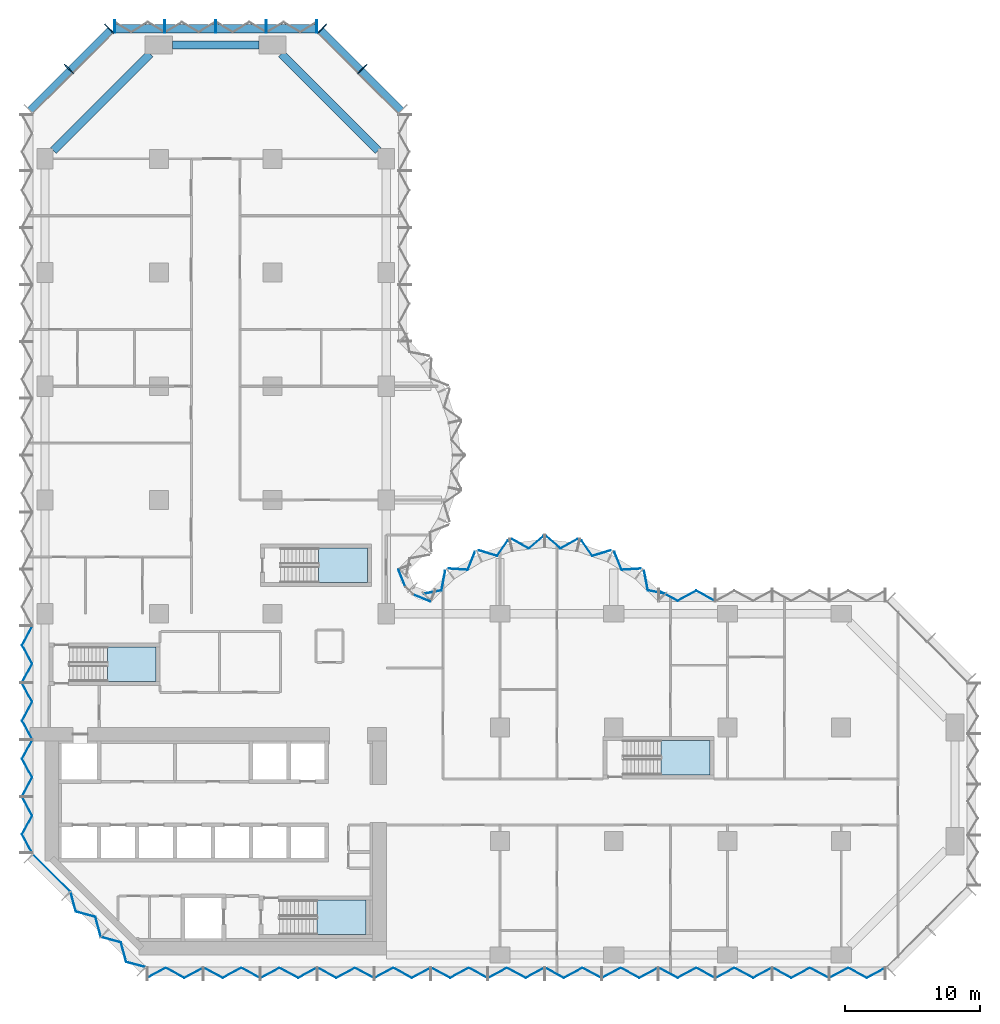
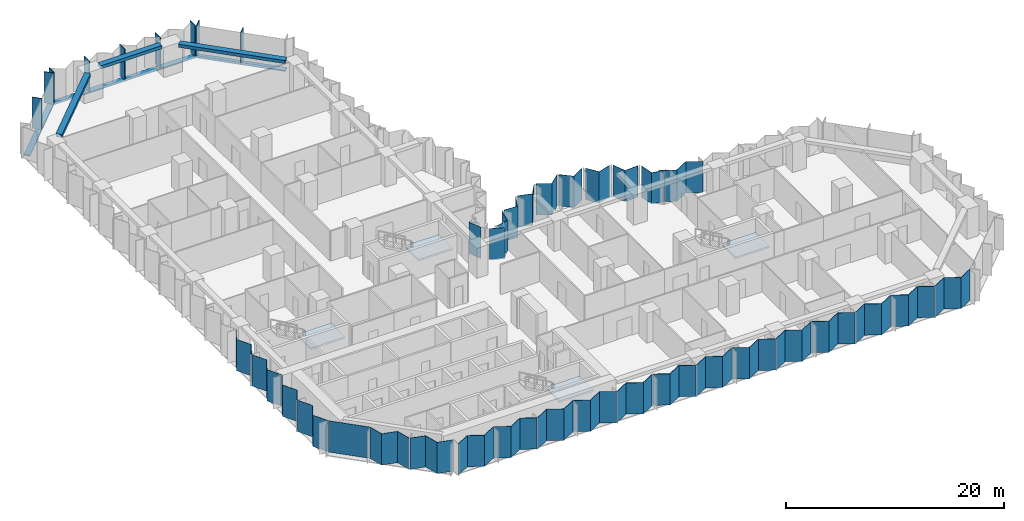
# One storey, part 5 of 15: 31 plates, 12 members, 4 slabs, 3 beams, 13 elements without a shape of their own.
"""IFC4 building model written with IfcOpenShell, lengths in metres."""

import ifcopenshell
import ifcopenshell.guid

model = None  # the IFC model being written
_history = None  # IfcOwnerHistory: only IFC2X3 demands one
_inside = {}  # id of a spatial element -> (the spatial element, [elements in it])
_under = {}  # id of a project, library or spatial element -> (it, [spatial elements below it])
_declared = {}  # id of a project -> (the project, [libraries it declares])
_typed = {}  # id of a type object -> (the type object, [elements of that type])
_made_of = {}  # id of a material, layer set ... -> (it, [elements and type objects made of it])


def new_model(schema):
    """Start an empty IFC model of exactly this schema.

    Asked for "IFC4X3", IfcOpenShell would pick the latest addendum, in which some entities
    have other attributes; the version numbers below select the first issue.
    IFC2X3 requires an IfcOwnerHistory on every rooted entity: one is made here for all.
    """
    global model, _history
    if schema == "IFC4X3":
        model = ifcopenshell.file(schema_version=(4, 3, 0, 0))
    else:
        model = ifcopenshell.file(schema=schema)
    _inside.clear()
    _under.clear()
    _declared.clear()
    _typed.clear()
    _made_of.clear()
    _history = None
    if model.schema == "IFC2X3":
        org = make("IfcOrganization", Name="unknown")
        user = make(
            "IfcPersonAndOrganization",
            ThePerson=make("IfcPerson", FamilyName="unknown"),
            TheOrganization=org,
        )
        app = make(
            "IfcApplication",
            ApplicationDeveloper=org,
            Version="unknown",
            ApplicationFullName="unknown",
            ApplicationIdentifier="unknown",
        )
        _history = make(
            "IfcOwnerHistory",
            OwningUser=user,
            OwningApplication=app,
            ChangeAction="ADDED",
            CreationDate=0,
        )
    return model


def make(cls, **values):
    """One entity of the class cls with the attributes given. An attribute that is None is left unset."""
    return model.create_entity(
        cls, **{name: value for name, value in values.items() if value is not None}
    )


def rooted(cls, **values):
    """An entity with a GlobalId (a new one), such as an element, a storey or a relation."""
    return make(cls, GlobalId=ifcopenshell.guid.new(), OwnerHistory=_history, **values)


def si_unit(unit_type, name, prefix=None):
    """IfcSIUnit, for example si_unit("LENGTHUNIT", "METRE", prefix="MILLI")."""
    return make("IfcSIUnit", UnitType=unit_type, Prefix=prefix, Name=name)


def assignment(units):
    """IfcUnitAssignment: the units of a project."""
    return None if units is None else make("IfcUnitAssignment", Units=units)


def point(xyz):
    """IfcCartesianPoint."""
    return None if xyz is None else make("IfcCartesianPoint", Coordinates=xyz)


def direction(xyz):
    """IfcDirection."""
    return None if xyz is None else make("IfcDirection", DirectionRatios=xyz)


def frame(location, z_axis=None, x_axis=None):
    """IfcAxis2Placement3D, a coordinate frame: its origin and axes. An axis left out is left unset."""
    return make(
        "IfcAxis2Placement3D",
        Location=point(location),
        Axis=direction(z_axis),
        RefDirection=direction(x_axis),
    )


def frame_2d(location, x_axis=None):
    """IfcAxis2Placement2D, a coordinate frame in the plane: its origin and x axis."""
    return make(
        "IfcAxis2Placement2D", Location=point(location), RefDirection=direction(x_axis)
    )


def origin():
    """The frame at (0, 0, 0) with its axes left unset."""
    return frame((0.0, 0.0, 0.0))


def origin_2d():
    """The frame at (0, 0) in the plane with its x axis left unset."""
    return frame_2d((0.0, 0.0))


def place(relative_to, where):
    """IfcLocalPlacement: puts the frame where relative to a parent placement (None: the world)."""
    return make(
        "IfcLocalPlacement", PlacementRelTo=relative_to, RelativePlacement=where
    )


def context(
    kind, dimensions, precision=None, world=None, true_north=None, identifier=None
):
    """IfcGeometricRepresentationContext, for example the 3D "Model" context."""
    return make(
        "IfcGeometricRepresentationContext",
        ContextIdentifier=identifier,
        ContextType=kind,
        CoordinateSpaceDimension=dimensions,
        Precision=precision,
        WorldCoordinateSystem=world,
        TrueNorth=true_north,
    )


def subcontext(parent, identifier, kind, view, scale=None):
    """IfcGeometricRepresentationSubContext, for example "Body" below "Model"."""
    return make(
        "IfcGeometricRepresentationSubContext",
        ContextIdentifier=identifier,
        ContextType=kind,
        ParentContext=parent,
        TargetScale=scale,
        TargetView=view,
    )


def project(units=None, contexts=None):
    """IfcProject with its units and contexts."""
    return rooted(
        "IfcProject",
        Name="project",
        RepresentationContexts=contexts,
        UnitsInContext=assignment(units),
    )


def spatial(cls, under=None, at=None, **own):
    """A site, building, storey or space (cls), placed at a placement, below another one or the project."""
    s = rooted(cls, ObjectPlacement=at, **own)
    if under is not None:
        _under.setdefault(under.id(), (under, []))[1].append(s)
    return s


def polyline(points):
    """IfcPolyline through the points."""
    return make("IfcPolyline", Points=[point(p) for p in points])


def profile(cls, at=None, kind="AREA", **sizes):
    """A parametric profile (cls). Its sizes go by their IFC names, for example OverallWidth=200.0."""
    return make(cls, ProfileType=kind, Position=at, **sizes)


def rectangle(**sizes):
    """IfcRectangleProfileDef."""
    return profile("IfcRectangleProfileDef", **sizes)


def outline(outer, holes=None, kind="AREA"):
    """IfcArbitraryClosedProfileDef: a profile drawn as a closed curve; with holes, ...WithVoids."""
    if holes is None:
        return make("IfcArbitraryClosedProfileDef", ProfileType=kind, OuterCurve=outer)
    return make(
        "IfcArbitraryProfileDefWithVoids",
        ProfileType=kind,
        OuterCurve=outer,
        InnerCurves=holes,
    )


def extrude(swept, where, along, depth):
    """IfcExtrudedAreaSolid: the profile swept, set in the frame where, extruded along a direction by depth."""
    return make(
        "IfcExtrudedAreaSolid",
        SweptArea=swept,
        Position=where,
        ExtrudedDirection=direction(along),
        Depth=depth,
    )


def shape(context_of_items, identifier, shape_type, items):
    """IfcShapeRepresentation: the items that make up one representation, for example the "Body"."""
    return make(
        "IfcShapeRepresentation",
        ContextOfItems=context_of_items,
        RepresentationIdentifier=identifier,
        RepresentationType=shape_type,
        Items=items,
    )


def material(Name=None, Category=None):
    """IfcMaterial."""
    return make("IfcMaterial", Name=Name, Category=Category)


def layer(
    of_material, thickness, ventilated=None, Name=None, Category=None, Priority=None
):
    """IfcMaterialLayer: one layer of a wall or slab, of a material (None: an air gap)."""
    return make(
        "IfcMaterialLayer",
        Material=of_material,
        LayerThickness=thickness,
        IsVentilated=ventilated,
        Name=Name,
        Category=Category,
        Priority=Priority,
    )


def layer_set(layers, Name=None):
    """IfcMaterialLayerSet."""
    return make("IfcMaterialLayerSet", MaterialLayers=layers, LayerSetName=Name)


def material_profile(
    of_material, cross_section, Name=None, Category=None, Priority=None
):
    """IfcMaterialProfile: a cross section and its material."""
    return make(
        "IfcMaterialProfile",
        Name=Name,
        Material=of_material,
        Profile=cross_section,
        Priority=Priority,
        Category=Category,
    )


def profile_set(profiles, Name=None, composite=None):
    """IfcMaterialProfileSet."""
    return make(
        "IfcMaterialProfileSet",
        Name=Name,
        MaterialProfiles=profiles,
        CompositeProfile=composite,
    )


def made_of(thing, what):
    """Note that an element or type object is made of a material, layer set ...; save() writes the relation."""
    if what is not None:
        _made_of.setdefault(what.id(), (what, []))[1].append(thing)
    return thing


def type_object(cls, material=None, **own):
    """A type object (cls), such as IfcWallType, which elements share."""
    return made_of(rooted(cls, **own), material)


def element(
    cls,
    number,
    at=None,
    inside=None,
    cuts=None,
    type_object=None,
    material=None,
    context=None,
    identifier="Body",
    shape_type=None,
    held_by="IfcProductDefinitionShape",
    body=None,
    shapes=None,
    **own,
):
    """One element of the class cls, such as IfcWall. Its Tag is "e" and its number.

    at: its placement. inside: the storey or other place that contains it. cuts: it is an
    opening in that element (IfcRelVoidsElement). A single representation is given by context,
    identifier, shape_type and body (its items); several are given by shapes. held_by: the class
    of the entity that holds the representations. save() writes the other relations.
    """
    e = rooted(cls, Tag="e%d" % number, ObjectPlacement=at, **own)
    if body is not None:
        shapes = [shape(context, identifier, shape_type, body)]
    if shapes is not None:
        e.Representation = make(held_by, Representations=shapes)
    if inside is not None:
        _inside.setdefault(inside.id(), (inside, []))[1].append(e)
    if cuts is not None:
        rooted(
            "IfcRelVoidsElement", RelatingBuildingElement=cuts, RelatedOpeningElement=e
        )
    if type_object is not None:
        _typed.setdefault(type_object.id(), (type_object, []))[1].append(e)
    return made_of(e, material)


def aggregate(whole, parts):
    """IfcRelAggregates: a whole, such as a stair, and the parts it consists of."""
    return rooted("IfcRelAggregates", RelatingObject=whole, RelatedObjects=parts)


def save(model, path):
    """Write the relations noted so far, then the file.

    IfcRelAggregates (storeys below a building ...), IfcRelContainedInSpatialStructure (elements
    in a storey), IfcRelDefinesByType, IfcRelAssociatesMaterial and IfcRelDeclares: one each for
    every whole, place, type object, material and project.
    """
    for whole, parts in _under.values():
        aggregate(whole, parts)
    for where, things in _inside.values():
        rooted(
            "IfcRelContainedInSpatialStructure",
            RelatedElements=things,
            RelatingStructure=where,
        )
    for kind, things in _typed.values():
        rooted("IfcRelDefinesByType", RelatedObjects=things, RelatingType=kind)
    for what, things in _made_of.values():
        rooted("IfcRelAssociatesMaterial", RelatedObjects=things, RelatingMaterial=what)
    for by, libraries in _declared.values():
        rooted("IfcRelDeclares", RelatingContext=by, RelatedDefinitions=libraries)
    model.write(path)


model = new_model("IFC4")

# Units and contexts
model_context = context("Model", 3, precision=1e-05, world=origin(), true_north=direction((0.0, 1.0)))
body_context = subcontext(model_context, "Body", "Model", "MODEL_VIEW")
ifc_project = project(units=[si_unit("LENGTHUNIT", "METRE"), si_unit("AREAUNIT", "SQUARE_METRE"), si_unit("VOLUMEUNIT", "CUBIC_METRE"), si_unit("PLANEANGLEUNIT", "RADIAN"), si_unit("MASSUNIT", "GRAM", prefix="KILO")], contexts=[model_context])

# Site, building, storey
site_placement = place(None, origin())
site = spatial("IfcSite", under=ifc_project, at=site_placement, CompositionType="ELEMENT")
building_placement = place(site_placement, origin())
building = spatial("IfcBuilding", under=site, at=building_placement, Name="Brevane Broadcast Tower", CompositionType="ELEMENT")
storey_placement = place(building_placement, frame((0.0, 0.0, 43.699951171875)))
storey = spatial("IfcBuildingStorey", under=building, at=storey_placement, Name="L08", CompositionType="ELEMENT", Elevation=43.699951171875)

# Curtain wall, members
ifc_material_1 = material(Name="Aluminium 6063-T6 bronze anodised", Category="aluminium")
curtain_wall_type = type_object("IfcCurtainWallType", Name="CW-1 curtain wall", PredefinedType="NOTDEFINED", material=ifc_material_1)
curtain_wall_1_placement = place(storey_placement, origin())
curtain_wall_1 = element("IfcCurtainWall", 1, at=curtain_wall_1_placement, inside=storey, type_object=curtain_wall_type, Name="CW-1 typical tilted unit L08 north arm north-east chamfer", PredefinedType="NOTDEFINED")
ifc_material_profile_1 = material_profile(ifc_material_1, rectangle(XDim=0.949951171875, YDim=0.070068359375, at=origin_2d()), Name="RECT 70x950")
ifc_profile_set_1 = profile_set([ifc_material_profile_1], Name="Aluminium 6063-T6 bronze anodised")
member_type_1 = type_object("IfcMemberType", Name="CW-1 mullion 70x950", PredefinedType="MULLION", material=ifc_profile_set_1)
member_1_placement = place(storey_placement, frame((23.435791015625, 65.435791015625, -0.14990234375), z_axis=(0.0, 0.0, 1.0), x_axis=(-0.707106781187, -0.707106781187, 0.0)))
member_1 = element("IfcMember", 2, at=member_1_placement, type_object=member_type_1, Name="CW-1 mullion", PredefinedType="MULLION", context=body_context, shape_type="SweptSolid", body=[
    extrude(rectangle(XDim=0.949951171875, YDim=0.070068359375, at=origin_2d()), origin(), (0.0, 0.0, 1.0), 3.5),
])
member_2_placement = place(storey_placement, frame((20.460693359375, 68.4111328125, -0.14990234375), z_axis=(0.0, 0.0, 1.0), x_axis=(-0.707106781187, -0.707106781187, 0.0)))
member_2 = element("IfcMember", 3, at=member_2_placement, type_object=member_type_1, Name="CW-1 mullion", PredefinedType="MULLION", context=body_context, shape_type="SweptSolid", body=[
    extrude(rectangle(XDim=0.949951171875, YDim=0.070068359375, at=origin_2d()), origin(), (0.0, 0.0, 1.0), 3.5),
])

curtain_wall_2_placement = place(storey_placement, origin())
curtain_wall_2 = element("IfcCurtainWall", 4, at=curtain_wall_2_placement, inside=storey, type_object=curtain_wall_type, Name="CW-1 typical tilted unit L08 north end", PredefinedType="NOTDEFINED")
member_3_placement = place(storey_placement, frame((20.06494140625, 68.574951171875, -0.14990234375), z_axis=(0.0, 0.0, 1.0), x_axis=(0.0, -1.0, 0.0)))
member_3 = element("IfcMember", 5, at=member_3_placement, type_object=member_type_1, Name="CW-1 mullion", PredefinedType="MULLION", context=body_context, shape_type="SweptSolid", body=[
    extrude(rectangle(XDim=0.949951171875, YDim=0.070068359375, at=origin_2d()), origin(), (0.0, 0.0, 1.0), 3.5),
])
member_4_placement = place(storey_placement, frame((16.35009765625, 68.574951171875, -0.14990234375), z_axis=(0.0, 0.0, 1.0), x_axis=(0.0, -1.0, 0.0)))
member_4 = element("IfcMember", 6, at=member_4_placement, type_object=member_type_1, Name="CW-1 mullion", PredefinedType="MULLION", context=body_context, shape_type="SweptSolid", body=[
    extrude(rectangle(XDim=0.949951171875, YDim=0.070068359375, at=origin_2d()), origin(), (0.0, 0.0, 1.0), 3.5),
])
member_5_placement = place(storey_placement, frame((12.60009765625, 68.574951171875, -0.14990234375), z_axis=(0.0, 0.0, 1.0), x_axis=(0.0, -1.0, 0.0)))
member_5 = element("IfcMember", 7, at=member_5_placement, type_object=member_type_1, Name="CW-1 mullion", PredefinedType="MULLION", context=body_context, shape_type="SweptSolid", body=[
    extrude(rectangle(XDim=0.949951171875, YDim=0.070068359375, at=origin_2d()), origin(), (0.0, 0.0, 1.0), 3.5),
])
member_6_placement = place(storey_placement, frame((8.85009765625, 68.574951171875, -0.14990234375), z_axis=(0.0, 0.0, 1.0), x_axis=(0.0, -1.0, 0.0)))
member_6 = element("IfcMember", 8, at=member_6_placement, type_object=member_type_1, Name="CW-1 mullion", PredefinedType="MULLION", context=body_context, shape_type="SweptSolid", body=[
    extrude(rectangle(XDim=0.949951171875, YDim=0.070068359375, at=origin_2d()), origin(), (0.0, 0.0, 1.0), 3.5),
])
member_7_placement = place(storey_placement, frame((5.135009765625, 68.574951171875, -0.14990234375), z_axis=(0.0, 0.0, 1.0), x_axis=(0.0, -1.0, 0.0)))
member_7 = element("IfcMember", 9, at=member_7_placement, type_object=member_type_1, Name="CW-1 mullion", PredefinedType="MULLION", context=body_context, shape_type="SweptSolid", body=[
    extrude(rectangle(XDim=0.949951171875, YDim=0.070068359375, at=origin_2d()), origin(), (0.0, 0.0, 1.0), 3.5),
])

curtain_wall_3_placement = place(storey_placement, origin())
curtain_wall_3 = element("IfcCurtainWall", 10, at=curtain_wall_3_placement, inside=storey, type_object=curtain_wall_type, Name="CW-1 typical tilted unit L08 north-west chamfer", PredefinedType="NOTDEFINED")
member_8_placement = place(storey_placement, frame((4.7392578125, 68.4111328125, -0.14990234375), z_axis=(0.0, 0.0, 1.0), x_axis=(0.707106781187, -0.707106781187, 0.0)))
member_8 = element("IfcMember", 11, at=member_8_placement, type_object=member_type_1, Name="CW-1 mullion", PredefinedType="MULLION", context=body_context, shape_type="SweptSolid", body=[
    extrude(rectangle(XDim=0.949951171875, YDim=0.070068359375, at=origin_2d()), origin(), (0.0, 0.0, 1.0), 3.5),
])
member_9_placement = place(storey_placement, frame((1.76416015625, 65.435791015625, -0.14990234375), z_axis=(0.0, 0.0, 1.0), x_axis=(0.707106781187, -0.707106781187, 0.0)))
member_9 = element("IfcMember", 12, at=member_9_placement, type_object=member_type_1, Name="CW-1 mullion", PredefinedType="MULLION", context=body_context, shape_type="SweptSolid", body=[
    extrude(rectangle(XDim=0.949951171875, YDim=0.070068359375, at=origin_2d()), origin(), (0.0, 0.0, 1.0), 3.5),
])

# Member
ifc_material_profile_2 = material_profile(ifc_material_1, rectangle(XDim=0.60009765625, YDim=0.10009765625, at=origin_2d()), Name="RECT 100x600")
ifc_profile_set_2 = profile_set([ifc_material_profile_2], Name="Aluminium 6063-T6 bronze anodised")
member_type_2 = type_object("IfcMemberType", Name="CW-1 transom 100x600", PredefinedType="USERDEFINED", material=ifc_profile_set_2)
member_10_placement = place(storey_placement, frame((26.31201171875, 62.31201171875, -0.199951171875), z_axis=(-0.707106781187, 0.707106781187, 0.0), x_axis=(-0.707106781187, -0.707106781187, 0.0)))
member_10 = element("IfcMember", 13, at=member_10_placement, type_object=member_type_2, Name="CW-1 transom", ObjectType="TRANSOM", PredefinedType="USERDEFINED", context=body_context, shape_type="SweptSolid", body=[
    extrude(rectangle(XDim=0.60009765625, YDim=0.10009765625, at=origin_2d()), origin(), (0.0, 0.0, 1.0), 8.4853515625),
])

aggregate(curtain_wall_1, [member_1, member_2, member_10])

member_11_placement = place(storey_placement, frame((20.10009765625, 68.39990234375, -0.199951171875), z_axis=(-1.0, 0.0, 0.0), x_axis=(0.0, -1.0, 0.0)))
member_11 = element("IfcMember", 14, at=member_11_placement, type_object=member_type_2, Name="CW-1 transom", ObjectType="TRANSOM", PredefinedType="USERDEFINED", context=body_context, shape_type="SweptSolid", body=[
    extrude(rectangle(XDim=0.60009765625, YDim=0.10009765625, at=origin_2d()), origin(), (0.0, 0.0, 1.0), 15.0),
])

aggregate(curtain_wall_2, [member_3, member_4, member_5, member_6, member_7, member_11])

member_12_placement = place(storey_placement, frame((4.887939453125, 68.31201171875, -0.199951171875), z_axis=(-0.707106781187, -0.707106781187, 0.0), x_axis=(0.707106781187, -0.707106781187, 0.0)))
member_12 = element("IfcMember", 15, at=member_12_placement, type_object=member_type_2, Name="CW-1 transom", ObjectType="TRANSOM", PredefinedType="USERDEFINED", context=body_context, shape_type="SweptSolid", body=[
    extrude(rectangle(XDim=0.60009765625, YDim=0.10009765625, at=origin_2d()), origin(), (0.0, 0.0, 1.0), 8.4853515625),
])

aggregate(curtain_wall_3, [member_8, member_9, member_12])

# Beams
ifc_material_2 = material(Name="Concrete C40/50", Category="concrete")
ifc_material_profile_3 = material_profile(ifc_material_2, rectangle(XDim=0.60009765625, YDim=0.35009765625, at=origin_2d()), Name="RC 600x350")
ifc_profile_set_3 = profile_set([ifc_material_profile_3], Name="Concrete C40/50")
beam_type = type_object("IfcBeamType", Name="RC SPANDREL BEAM 600x350 C40/50", PredefinedType="SPANDREL", material=ifc_profile_set_3)
beam_1_placement = place(storey_placement, frame((24.60009765625, 59.39990234375, 3.175048828125), z_axis=(-0.707106781187, 0.707106781187, 0.0), x_axis=(-0.707106781187, -0.707106781187, 0.0)))
element("IfcBeam", 16, at=beam_1_placement, inside=storey, type_object=beam_type, Name="EB1 L08-16", PredefinedType="SPANDREL", context=body_context, shape_type="SweptSolid", body=[
    extrude(rectangle(XDim=0.60009765625, YDim=0.35009765625, at=origin_2d()), origin(), (0.0, 0.0, 1.0), 10.11181640625),
])
beam_2_placement = place(storey_placement, frame((15.800048828125, 67.199951171875, 3.175048828125), z_axis=(-1.0, 0.0, 0.0), x_axis=(0.0, -1.0, 0.0)))
element("IfcBeam", 17, at=beam_2_placement, inside=storey, type_object=beam_type, Name="EB1 L08-17", PredefinedType="SPANDREL", context=body_context, shape_type="SweptSolid", body=[
    extrude(rectangle(XDim=0.60009765625, YDim=0.35009765625, at=origin_2d()), origin(), (0.0, 0.0, 1.0), 6.400146484375),
])
beam_3_placement = place(storey_placement, frame((7.75, 66.550048828125, 3.175048828125), z_axis=(-0.707094708853, -0.707118853314, 0.0), x_axis=(0.707118853314, -0.707094708853, 0.0)))
element("IfcBeam", 18, at=beam_3_placement, inside=storey, type_object=beam_type, Name="EB1 L08-18", PredefinedType="SPANDREL", context=body_context, shape_type="SweptSolid", body=[
    extrude(rectangle(XDim=0.60009765625, YDim=0.35009765625, at=origin_2d()), origin(), (0.0, 0.0, 1.0), 10.111572265625),
])

# Curtain wall, plates
curtain_wall_4_placement = place(storey_placement, origin())
curtain_wall_4 = element("IfcCurtainWall", 19, at=curtain_wall_4_placement, inside=storey, type_object=curtain_wall_type, Name="CW-1 typical tilted unit L08 south face", PredefinedType="NOTDEFINED")
ifc_material_3 = material(Name="Laminated glass bronze-tinted", Category="glass")
ifc_layer_1 = layer(ifc_material_3, 0.0400390625)
ifc_layer_set_1 = layer_set([ifc_layer_1], Name="CW tall glass panel 40")
plate_type = type_object("IfcPlateType", Name="CW tall glass panel 40", PredefinedType="CURTAIN_PANEL", material=ifc_layer_set_1)
plate_1_placement = place(storey_placement, frame((0.0, 0.0, -0.14990234375)))
plate_1 = element("IfcPlate", 20, at=plate_1_placement, type_object=plate_type, Name="CW-1 glass panel", PredefinedType="CURTAIN_PANEL", context=body_context, shape_type="SweptSolid", body=[
    extrude(outline(polyline([(7.534912109375, -1.671630859375), (7.534912109375, -1.717041015625), (8.91162109375, -0.97265625), (10.288330078125, -1.717041015625), (11.6650390625, -0.97265625), (11.6650390625, -0.92724609375), (10.288330078125, -1.671630859375), (8.91162109375, -0.92724609375), (7.534912109375, -1.671630859375)])), origin(), (0.0, 0.0, 1.0), 3.5),
])
plate_2_placement = place(storey_placement, frame((0.0, 0.0, -0.14990234375)))
plate_2 = element("IfcPlate", 21, at=plate_2_placement, type_object=plate_type, Name="CW-1 glass panel", PredefinedType="CURTAIN_PANEL", context=body_context, shape_type="SweptSolid", body=[
    extrude(outline(polyline([(11.735107421875, -0.92724609375), (11.735107421875, -0.97265625), (13.11181640625, -1.717041015625), (14.48828125, -0.97265625), (15.864990234375, -1.717041015625), (15.864990234375, -1.671630859375), (14.48828125, -0.92724609375), (13.11181640625, -1.671630859375), (11.735107421875, -0.92724609375)])), origin(), (0.0, 0.0, 1.0), 3.5),
])
plate_3_placement = place(storey_placement, frame((0.0, 0.0, -0.14990234375)))
plate_3 = element("IfcPlate", 22, at=plate_3_placement, type_object=plate_type, Name="CW-1 glass panel", PredefinedType="CURTAIN_PANEL", context=body_context, shape_type="SweptSolid", body=[
    extrude(outline(polyline([(15.93505859375, -1.671630859375), (15.93505859375, -1.717041015625), (17.311767578125, -0.97265625), (18.688232421875, -1.717041015625), (20.06494140625, -0.97265625), (20.06494140625, -0.92724609375), (18.688232421875, -1.671630859375), (17.311767578125, -0.92724609375), (15.93505859375, -1.671630859375)])), origin(), (0.0, 0.0, 1.0), 3.5),
])
plate_4_placement = place(storey_placement, frame((0.0, 0.0, -0.14990234375)))
plate_4 = element("IfcPlate", 23, at=plate_4_placement, type_object=plate_type, Name="CW-1 glass panel", PredefinedType="CURTAIN_PANEL", context=body_context, shape_type="SweptSolid", body=[
    extrude(outline(polyline([(20.135009765625, -0.92724609375), (20.135009765625, -0.97265625), (21.51171875, -1.717041015625), (22.88818359375, -0.97265625), (24.264892578125, -1.717041015625), (24.264892578125, -1.671630859375), (22.88818359375, -0.92724609375), (21.51171875, -1.671630859375), (20.135009765625, -0.92724609375)])), origin(), (0.0, 0.0, 1.0), 3.5),
])
plate_5_placement = place(storey_placement, frame((0.0, 0.0, -0.14990234375)))
plate_5 = element("IfcPlate", 24, at=plate_5_placement, type_object=plate_type, Name="CW-1 glass panel", PredefinedType="CURTAIN_PANEL", context=body_context, shape_type="SweptSolid", body=[
    extrude(outline(polyline([(24.3349609375, -1.671630859375), (24.3349609375, -1.717041015625), (25.711669921875, -0.97265625), (27.08837890625, -1.717041015625), (28.465087890625, -0.97265625), (28.465087890625, -0.92724609375), (27.08837890625, -1.671630859375), (25.711669921875, -0.92724609375), (24.3349609375, -1.671630859375)])), origin(), (0.0, 0.0, 1.0), 3.5),
])
plate_6_placement = place(storey_placement, frame((0.0, 0.0, -0.14990234375)))
plate_6 = element("IfcPlate", 25, at=plate_6_placement, type_object=plate_type, Name="CW-1 glass panel", PredefinedType="CURTAIN_PANEL", context=body_context, shape_type="SweptSolid", body=[
    extrude(outline(polyline([(28.534912109375, -0.92724609375), (28.534912109375, -0.97265625), (29.91162109375, -1.717041015625), (31.288330078125, -0.97265625), (32.6650390625, -1.717041015625), (32.6650390625, -1.671630859375), (31.288330078125, -0.92724609375), (29.91162109375, -1.671630859375), (28.534912109375, -0.92724609375)])), origin(), (0.0, 0.0, 1.0), 3.5),
])
plate_7_placement = place(storey_placement, frame((0.0, 0.0, -0.14990234375)))
plate_7 = element("IfcPlate", 26, at=plate_7_placement, type_object=plate_type, Name="CW-1 glass panel", PredefinedType="CURTAIN_PANEL", context=body_context, shape_type="SweptSolid", body=[
    extrude(outline(polyline([(32.735107421875, -1.671630859375), (32.735107421875, -1.717041015625), (34.11181640625, -0.97265625), (35.48828125, -1.717041015625), (36.864990234375, -0.97265625), (36.864990234375, -0.92724609375), (35.48828125, -1.671630859375), (34.11181640625, -0.92724609375), (32.735107421875, -1.671630859375)])), origin(), (0.0, 0.0, 1.0), 3.5),
])
plate_8_placement = place(storey_placement, frame((0.0, 0.0, -0.14990234375)))
plate_8 = element("IfcPlate", 27, at=plate_8_placement, type_object=plate_type, Name="CW-1 glass panel", PredefinedType="CURTAIN_PANEL", context=body_context, shape_type="SweptSolid", body=[
    extrude(outline(polyline([(36.93505859375, -0.92724609375), (36.93505859375, -0.97265625), (38.311767578125, -1.717041015625), (39.688232421875, -0.97265625), (41.06494140625, -1.717041015625), (41.06494140625, -1.671630859375), (39.688232421875, -0.92724609375), (38.311767578125, -1.671630859375), (36.93505859375, -0.92724609375)])), origin(), (0.0, 0.0, 1.0), 3.5),
])
plate_9_placement = place(storey_placement, frame((0.0, 0.0, -0.14990234375)))
plate_9 = element("IfcPlate", 28, at=plate_9_placement, type_object=plate_type, Name="CW-1 glass panel", PredefinedType="CURTAIN_PANEL", context=body_context, shape_type="SweptSolid", body=[
    extrude(outline(polyline([(41.135009765625, -1.671630859375), (41.135009765625, -1.717041015625), (42.51171875, -0.97265625), (43.88818359375, -1.717041015625), (45.264892578125, -0.97265625), (45.264892578125, -0.92724609375), (43.88818359375, -1.671630859375), (42.51171875, -0.92724609375), (41.135009765625, -1.671630859375)])), origin(), (0.0, 0.0, 1.0), 3.5),
])
plate_10_placement = place(storey_placement, frame((0.0, 0.0, -0.14990234375)))
plate_10 = element("IfcPlate", 29, at=plate_10_placement, type_object=plate_type, Name="CW-1 glass panel", PredefinedType="CURTAIN_PANEL", context=body_context, shape_type="SweptSolid", body=[
    extrude(outline(polyline([(45.3349609375, -0.92724609375), (45.3349609375, -0.97265625), (46.711669921875, -1.717041015625), (48.08837890625, -0.97265625), (49.465087890625, -1.717041015625), (49.465087890625, -1.671630859375), (48.08837890625, -0.92724609375), (46.711669921875, -1.671630859375), (45.3349609375, -0.92724609375)])), origin(), (0.0, 0.0, 1.0), 3.5),
])
plate_11_placement = place(storey_placement, frame((0.0, 0.0, -0.14990234375)))
plate_11 = element("IfcPlate", 30, at=plate_11_placement, type_object=plate_type, Name="CW-1 glass panel", PredefinedType="CURTAIN_PANEL", context=body_context, shape_type="SweptSolid", body=[
    extrude(outline(polyline([(49.534912109375, -1.671630859375), (49.534912109375, -1.717041015625), (50.91162109375, -0.97265625), (52.288330078125, -1.717041015625), (53.6650390625, -0.97265625), (53.6650390625, -0.92724609375), (52.288330078125, -1.671630859375), (50.91162109375, -0.92724609375), (49.534912109375, -1.671630859375)])), origin(), (0.0, 0.0, 1.0), 3.5),
])
plate_12_placement = place(storey_placement, frame((0.0, 0.0, -0.14990234375)))
plate_12 = element("IfcPlate", 31, at=plate_12_placement, type_object=plate_type, Name="CW-1 glass panel", PredefinedType="CURTAIN_PANEL", context=body_context, shape_type="SweptSolid", body=[
    extrude(outline(polyline([(53.735107421875, -0.92724609375), (53.735107421875, -0.97265625), (55.11181640625, -1.717041015625), (56.48828125, -0.97265625), (57.864990234375, -1.717041015625), (57.864990234375, -1.671630859375), (56.48828125, -0.92724609375), (55.11181640625, -1.671630859375), (53.735107421875, -0.92724609375)])), origin(), (0.0, 0.0, 1.0), 3.5),
])
plate_13_placement = place(storey_placement, frame((0.0, 0.0, -0.14990234375)))
plate_13 = element("IfcPlate", 32, at=plate_13_placement, type_object=plate_type, Name="CW-1 glass panel", PredefinedType="CURTAIN_PANEL", context=body_context, shape_type="SweptSolid", body=[
    extrude(outline(polyline([(57.93505859375, -1.671630859375), (57.93505859375, -1.717041015625), (59.311767578125, -0.97265625), (60.688232421875, -1.717041015625), (62.06494140625, -0.97265625), (62.06494140625, -0.92724609375), (60.688232421875, -1.671630859375), (59.311767578125, -0.92724609375), (57.93505859375, -1.671630859375)])), origin(), (0.0, 0.0, 1.0), 3.5),
])
aggregate(curtain_wall_4, [plate_1, plate_2, plate_3, plate_4, plate_5, plate_6, plate_7, plate_8, plate_9, plate_10, plate_11, plate_12, plate_13])

# Curtain wall, plate
curtain_wall_5_placement = place(storey_placement, origin())
curtain_wall_5 = element("IfcCurtainWall", 33, at=curtain_wall_5_placement, inside=storey, type_object=curtain_wall_type, Name="CW-1 typical tilted unit L08 east arm north face", PredefinedType="NOTDEFINED")
plate_14_placement = place(storey_placement, frame((0.0, 0.0, -0.14990234375)))
plate_14 = element("IfcPlate", 34, at=plate_14_placement, type_object=plate_type, Name="CW-1 glass panel", PredefinedType="CURTAIN_PANEL", context=body_context, shape_type="SweptSolid", body=[
    extrude(outline(polyline([(49.465087890625, 26.127197265625), (49.465087890625, 26.172607421875), (48.08837890625, 26.9169921875), (46.711669921875, 26.172607421875), (45.3349609375, 26.9169921875), (45.3349609375, 26.87158203125), (46.711669921875, 26.127197265625), (48.08837890625, 26.87158203125), (49.465087890625, 26.127197265625)])), origin(), (0.0, 0.0, 1.0), 3.5),
])
aggregate(curtain_wall_5, [plate_14])

# Curtain wall, plates
curtain_wall_6_placement = place(storey_placement, origin())
curtain_wall_6 = element("IfcCurtainWall", 35, at=curtain_wall_6_placement, inside=storey, type_object=curtain_wall_type, Name="CW-1 typical tilted unit L08 east bow", PredefinedType="NOTDEFINED")
plate_15_placement = place(storey_placement, frame((0.0, 0.0, -0.14990234375)))
plate_15 = element("IfcPlate", 36, at=plate_15_placement, type_object=plate_type, Name="CW-1 glass panel", PredefinedType="CURTAIN_PANEL", context=body_context, shape_type="SweptSolid", body=[
    extrude(outline(polyline([(45.79150390625, 26.656005859375), (45.82470703125, 26.690185546875), (44.539306640625, 26.9423828125), (44.263916015625, 28.3857421875), (44.231201171875, 28.34375), (44.5048828125, 26.908203125), (45.79150390625, 26.656005859375)])), origin(), (0.0, 0.0, 1.0), 3.5),
])
plate_16_placement = place(storey_placement, frame((0.0, 0.0, -0.14990234375)))
plate_16 = element("IfcPlate", 37, at=plate_16_placement, type_object=plate_type, Name="CW-1 glass panel", PredefinedType="CURTAIN_PANEL", context=body_context, shape_type="SweptSolid", body=[
    extrude(outline(polyline([(43.950439453125, 28.5087890625), (43.9833984375, 28.551025390625), (42.601318359375, 28.462890625), (42.0703125, 29.76171875), (42.046875, 29.712890625), (42.5751953125, 28.42138671875), (43.950439453125, 28.5087890625)])), origin(), (0.0, 0.0, 1.0), 3.5),
])
plate_17_placement = place(storey_placement, frame((0.0, 0.0, -0.14990234375)))
plate_17 = element("IfcPlate", 38, at=plate_17_placement, type_object=plate_type, Name="CW-1 glass panel", PredefinedType="CURTAIN_PANEL", context=body_context, shape_type="SweptSolid", body=[
    extrude(outline(polyline([(41.75537109375, 29.851806640625), (41.778564453125, 29.900634765625), (40.435546875, 29.494384765625), (39.6328125, 30.622802734375), (39.62060546875, 30.57080078125), (40.41943359375, 29.44775390625), (41.75537109375, 29.851806640625)])), origin(), (0.0, 0.0, 1.0), 3.5),
])
plate_18_placement = place(storey_placement, frame((0.0, 0.0, -0.14990234375)))
plate_18 = element("IfcPlate", 39, at=plate_18_placement, type_object=plate_type, Name="CW-1 glass panel", PredefinedType="CURTAIN_PANEL", context=body_context, shape_type="SweptSolid", body=[
    extrude(outline(polyline([(39.31640625, 30.68798828125), (39.328369140625, 30.740478515625), (38.069580078125, 30.036376953125), (37.008056640625, 30.94921875), (37.008056640625, 30.896484375), (38.064697265625, 29.98779296875), (39.31640625, 30.68798828125)])), origin(), (0.0, 0.0, 1.0), 3.5),
])
plate_19_placement = place(storey_placement, frame((0.0, 0.0, -0.14990234375)))
plate_19 = element("IfcPlate", 40, at=plate_19_placement, type_object=plate_type, Name="CW-1 glass panel", PredefinedType="CURTAIN_PANEL", context=body_context, shape_type="SweptSolid", body=[
    extrude(outline(polyline([(36.7919921875, 30.896484375), (36.7919921875, 30.94921875), (35.730224609375, 30.036376953125), (34.4716796875, 30.740478515625), (34.483642578125, 30.68798828125), (35.735107421875, 29.98779296875), (36.7919921875, 30.896484375)])), origin(), (0.0, 0.0, 1.0), 3.5),
])
plate_20_placement = place(storey_placement, frame((0.0, 0.0, -0.14990234375)))
plate_20 = element("IfcPlate", 41, at=plate_20_placement, type_object=plate_type, Name="CW-1 glass panel", PredefinedType="CURTAIN_PANEL", context=body_context, shape_type="SweptSolid", body=[
    extrude(outline(polyline([(34.17919921875, 30.57080078125), (34.167236328125, 30.622802734375), (33.364501953125, 29.494384765625), (32.021484375, 29.900634765625), (32.044677734375, 29.851806640625), (33.380615234375, 29.44775390625), (34.17919921875, 30.57080078125)])), origin(), (0.0, 0.0, 1.0), 3.5),
])
plate_21_placement = place(storey_placement, frame((0.0, 0.0, -0.14990234375)))
plate_21 = element("IfcPlate", 42, at=plate_21_placement, type_object=plate_type, Name="CW-1 glass panel", PredefinedType="CURTAIN_PANEL", context=body_context, shape_type="SweptSolid", body=[
    extrude(outline(polyline([(31.753173828125, 29.712890625), (31.729736328125, 29.76171875), (31.198486328125, 28.462890625), (29.816650390625, 28.551025390625), (29.849609375, 28.5087890625), (31.224609375, 28.42138671875), (31.753173828125, 29.712890625)])), origin(), (0.0, 0.0, 1.0), 3.5),
])
plate_22_placement = place(storey_placement, frame((0.0, 0.0, -0.14990234375)))
plate_22 = element("IfcPlate", 43, at=plate_22_placement, type_object=plate_type, Name="CW-1 glass panel", PredefinedType="CURTAIN_PANEL", context=body_context, shape_type="SweptSolid", body=[
    extrude(outline(polyline([(29.568603515625, 28.34375), (29.535888671875, 28.3857421875), (29.2607421875, 26.9423828125), (27.975341796875, 26.690185546875), (28.008544921875, 26.656005859375), (29.294921875, 26.908203125), (29.568603515625, 28.34375)])), origin(), (0.0, 0.0, 1.0), 3.5),
])
aggregate(curtain_wall_6, [plate_15, plate_16, plate_17, plate_18, plate_19, plate_20, plate_21, plate_22])

curtain_wall_7_placement = place(storey_placement, origin())
curtain_wall_7 = element("IfcCurtainWall", 44, at=curtain_wall_7_placement, inside=storey, type_object=curtain_wall_type, Name="CW-1 typical tilted unit L08 inner corner", PredefinedType="NOTDEFINED")
plate_23_placement = place(storey_placement, frame((0.0, 0.0, -0.14990234375)))
plate_23 = element("IfcPlate", 45, at=plate_23_placement, type_object=plate_type, Name="CW-1 glass panel", PredefinedType="CURTAIN_PANEL", context=body_context, shape_type="SweptSolid", body=[
    extrude(outline(polyline([(28.45166015625, 26.07470703125), (28.466796875, 26.111572265625), (27.2021484375, 26.635498046875), (27.17138671875, 26.60498046875), (28.45166015625, 26.07470703125)])), origin(), (0.0, 0.0, 1.0), 3.5),
])
plate_24_placement = place(storey_placement, frame((0.0, 0.0, -0.14990234375)))
plate_24 = element("IfcPlate", 46, at=plate_24_placement, type_object=plate_type, Name="CW-1 glass panel", PredefinedType="CURTAIN_PANEL", context=body_context, shape_type="SweptSolid", body=[
    extrude(outline(polyline([(26.60498046875, 27.17138671875), (26.635498046875, 27.2021484375), (26.111572265625, 28.466796875), (26.07470703125, 28.45166015625), (26.60498046875, 27.17138671875)])), origin(), (0.0, 0.0, 1.0), 3.5),
])
aggregate(curtain_wall_7, [plate_23, plate_24])

curtain_wall_8_placement = place(storey_placement, origin())
curtain_wall_8 = element("IfcCurtainWall", 47, at=curtain_wall_8_placement, inside=storey, type_object=curtain_wall_type, Name="CW-1 typical tilted unit L08 west face", PredefinedType="NOTDEFINED")
plate_25_placement = place(storey_placement, frame((0.0, 0.0, -0.14990234375)))
plate_25 = element("IfcPlate", 48, at=plate_25_placement, type_object=plate_type, Name="CW-1 glass panel", PredefinedType="CURTAIN_PANEL", context=body_context, shape_type="SweptSolid", body=[
    extrude(outline(polyline([(-0.92724609375, 24.264892578125), (-0.97265625, 24.264892578125), (-1.717041015625, 22.88818359375), (-0.97265625, 21.51171875), (-1.717041015625, 20.135009765625), (-1.671630859375, 20.135009765625), (-0.92724609375, 21.51171875), (-1.671630859375, 22.88818359375), (-0.92724609375, 24.264892578125)])), origin(), (0.0, 0.0, 1.0), 3.5),
])
plate_26_placement = place(storey_placement, frame((0.0, 0.0, -0.14990234375)))
plate_26 = element("IfcPlate", 49, at=plate_26_placement, type_object=plate_type, Name="CW-1 glass panel", PredefinedType="CURTAIN_PANEL", context=body_context, shape_type="SweptSolid", body=[
    extrude(outline(polyline([(-1.671630859375, 20.06494140625), (-1.717041015625, 20.06494140625), (-0.97265625, 18.688232421875), (-1.717041015625, 17.311767578125), (-0.97265625, 15.93505859375), (-0.92724609375, 15.93505859375), (-1.671630859375, 17.311767578125), (-0.92724609375, 18.688232421875), (-1.671630859375, 20.06494140625)])), origin(), (0.0, 0.0, 1.0), 3.5),
])
plate_27_placement = place(storey_placement, frame((0.0, 0.0, -0.14990234375)))
plate_27 = element("IfcPlate", 50, at=plate_27_placement, type_object=plate_type, Name="CW-1 glass panel", PredefinedType="CURTAIN_PANEL", context=body_context, shape_type="SweptSolid", body=[
    extrude(outline(polyline([(-0.92724609375, 15.864990234375), (-0.97265625, 15.864990234375), (-1.717041015625, 14.48828125), (-0.97265625, 13.11181640625), (-1.717041015625, 11.735107421875), (-1.671630859375, 11.735107421875), (-0.92724609375, 13.11181640625), (-1.671630859375, 14.48828125), (-0.92724609375, 15.864990234375)])), origin(), (0.0, 0.0, 1.0), 3.5),
])
plate_28_placement = place(storey_placement, frame((0.0, 0.0, -0.14990234375)))
plate_28 = element("IfcPlate", 51, at=plate_28_placement, type_object=plate_type, Name="CW-1 glass panel", PredefinedType="CURTAIN_PANEL", context=body_context, shape_type="SweptSolid", body=[
    extrude(outline(polyline([(-1.671630859375, 11.6650390625), (-1.717041015625, 11.6650390625), (-0.97265625, 10.288330078125), (-1.717041015625, 8.91162109375), (-0.97265625, 7.534912109375), (-0.92724609375, 7.534912109375), (-1.671630859375, 8.91162109375), (-0.92724609375, 10.288330078125), (-1.671630859375, 11.6650390625)])), origin(), (0.0, 0.0, 1.0), 3.5),
])
aggregate(curtain_wall_8, [plate_25, plate_26, plate_27, plate_28])

curtain_wall_9_placement = place(storey_placement, origin())
curtain_wall_9 = element("IfcCurtainWall", 52, at=curtain_wall_9_placement, inside=storey, type_object=curtain_wall_type, Name="CW-1 typical tilted unit L08 south-west chamfer", PredefinedType="NOTDEFINED")
plate_29_placement = place(storey_placement, frame((0.0, 0.0, -0.14990234375)))
plate_29 = element("IfcPlate", 53, at=plate_29_placement, type_object=plate_type, Name="CW-1 glass panel", PredefinedType="CURTAIN_PANEL", context=body_context, shape_type="SweptSolid", body=[
    extrude(outline(polyline([(-0.896484375, 7.4541015625), (1.85400390625, 4.70361328125), (1.82568359375, 4.67529296875), (-0.9248046875, 7.42578125), (-0.896484375, 7.4541015625)])), origin(), (0.0, 0.0, 1.0), 3.5),
])
plate_30_placement = place(storey_placement, frame((0.0, 0.0, -0.14990234375)))
plate_30 = element("IfcPlate", 54, at=plate_30_placement, type_object=plate_type, Name="CW-1 glass panel", PredefinedType="CURTAIN_PANEL", context=body_context, shape_type="SweptSolid", body=[
    extrude(outline(polyline([(1.90576171875, 4.65625), (1.873046875, 4.62353515625), (2.263671875, 3.180419921875), (3.706787109375, 2.789794921875), (4.09716796875, 1.3466796875), (4.1298828125, 1.37939453125), (3.739501953125, 2.822509765625), (2.296142578125, 3.212890625), (1.90576171875, 4.65625)])), origin(), (0.0, 0.0, 1.0), 3.5),
])
plate_31_placement = place(storey_placement, frame((0.0, 0.0, -0.14990234375)))
plate_31 = element("IfcPlate", 55, at=plate_31_placement, type_object=plate_type, Name="CW-1 glass panel", PredefinedType="CURTAIN_PANEL", context=body_context, shape_type="SweptSolid", body=[
    extrude(outline(polyline([(4.17919921875, 1.329833984375), (4.146728515625, 1.297119140625), (5.58984375, 0.90673828125), (5.98046875, -0.536376953125), (7.423583984375, -0.927001953125), (7.456298828125, -0.894287109375), (6.012939453125, -0.50390625), (5.62255859375, 0.939453125), (4.17919921875, 1.329833984375)])), origin(), (0.0, 0.0, 1.0), 3.5),
])
aggregate(curtain_wall_9, [plate_29, plate_30, plate_31])

# Stair, slab
ifc_material_4 = material(Name="Concrete C50/60", Category="concrete")
stair_type = type_object("IfcStairType", Name="Exit stair 22 risers", PredefinedType="HALF_TURN_STAIR", material=ifc_material_4)
stair_1_placement = place(storey_placement, origin())
stair_1 = element("IfcStair", 56, at=stair_1_placement, inside=storey, type_object=stair_type, Name="L08 Exit stair ST-1", PredefinedType="HALF_TURN_STAIR")
ifc_layer_2 = layer(ifc_material_4, 0.199951171875)
ifc_layer_set_2 = layer_set([ifc_layer_2], Name="Exit stair landing")
slab_type = type_object("IfcSlabType", Name="Exit stair landing", PredefinedType="LANDING", material=ifc_layer_set_2)
slab_1_placement = place(storey_placement, frame((0.0, 0.0, 1.60009765625)))
slab_1 = element("IfcSlab", 57, at=slab_1_placement, type_object=slab_type, Name="ST-1 landing 1", PredefinedType="LANDING", context=body_context, shape_type="SweptSolid", body=[
    extrude(outline(polyline([(4.60009765625, 20.199951171875), (8.199951171875, 20.199951171875), (8.199951171875, 22.75), (4.60009765625, 22.75), (4.60009765625, 20.199951171875)])), origin(), (0.0, 0.0, 1.0), 0.199951171875),
])
aggregate(stair_1, [slab_1])

stair_2_placement = place(storey_placement, origin())
stair_2 = element("IfcStair", 58, at=stair_2_placement, inside=storey, type_object=stair_type, Name="L08 Exit stair ST-2", PredefinedType="HALF_TURN_STAIR")
slab_2_placement = place(storey_placement, frame((0.0, 0.0, 1.60009765625)))
slab_2 = element("IfcSlab", 59, at=slab_2_placement, type_object=slab_type, Name="ST-2 landing 1", PredefinedType="LANDING", context=body_context, shape_type="SweptSolid", body=[
    extrude(outline(polyline([(20.10009765625, 1.5), (23.699951171875, 1.5), (23.699951171875, 4.050048828125), (20.10009765625, 4.050048828125), (20.10009765625, 1.5)])), origin(), (0.0, 0.0, 1.0), 0.199951171875),
])
aggregate(stair_2, [slab_2])

stair_3_placement = place(storey_placement, origin())
stair_3 = element("IfcStair", 60, at=stair_3_placement, inside=storey, type_object=stair_type, Name="L08 Exit stair ST-3", PredefinedType="HALF_TURN_STAIR")
slab_3_placement = place(storey_placement, frame((0.0, 0.0, 1.60009765625)))
slab_3 = element("IfcSlab", 61, at=slab_3_placement, type_object=slab_type, Name="ST-3 landing 1", PredefinedType="LANDING", context=body_context, shape_type="SweptSolid", body=[
    extrude(outline(polyline([(20.199951171875, 27.5), (23.800048828125, 27.5), (23.800048828125, 30.050048828125), (20.199951171875, 30.050048828125), (20.199951171875, 27.5)])), origin(), (0.0, 0.0, 1.0), 0.199951171875),
])
aggregate(stair_3, [slab_3])

stair_4_placement = place(storey_placement, origin())
stair_4 = element("IfcStair", 62, at=stair_4_placement, inside=storey, type_object=stair_type, Name="L08 Exit stair ST-4", PredefinedType="HALF_TURN_STAIR")
slab_4_placement = place(storey_placement, frame((0.0, 0.0, 1.60009765625)))
slab_4 = element("IfcSlab", 63, at=slab_4_placement, type_object=slab_type, Name="ST-4 landing 1", PredefinedType="LANDING", context=body_context, shape_type="SweptSolid", body=[
    extrude(outline(polyline([(45.5, 13.300048828125), (49.10009765625, 13.300048828125), (49.10009765625, 15.85009765625), (45.5, 15.85009765625), (45.5, 13.300048828125)])), origin(), (0.0, 0.0, 1.0), 0.199951171875),
])
aggregate(stair_4, [slab_4])

save(model, "model.ifc")
